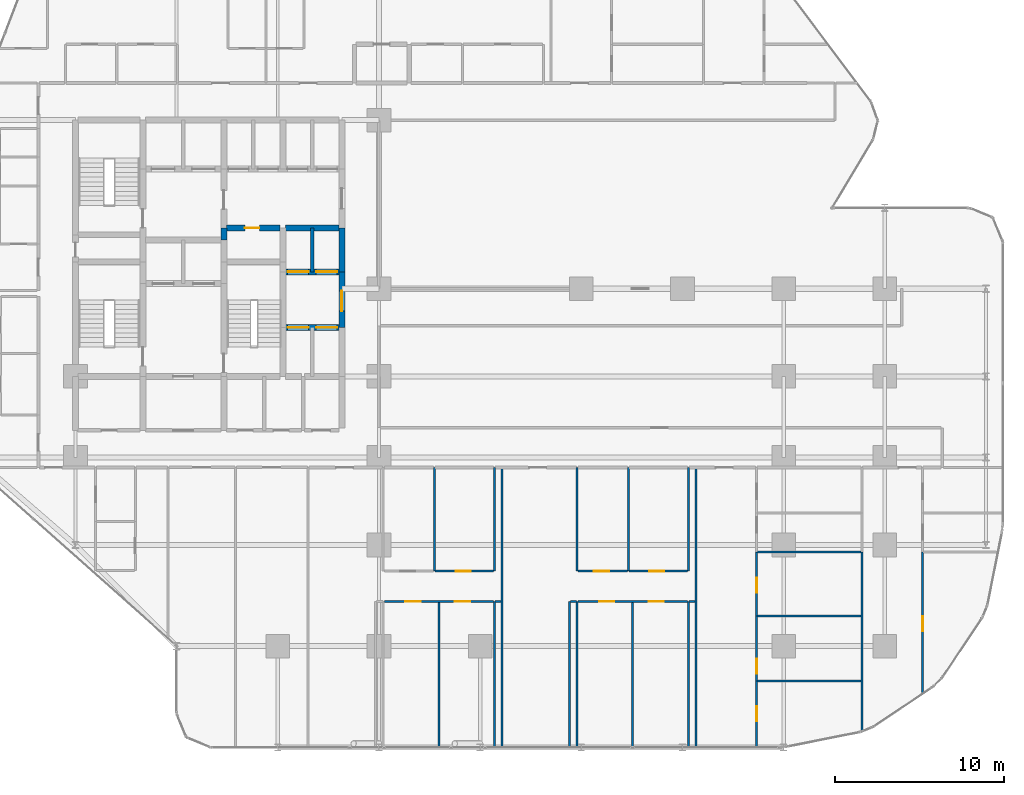
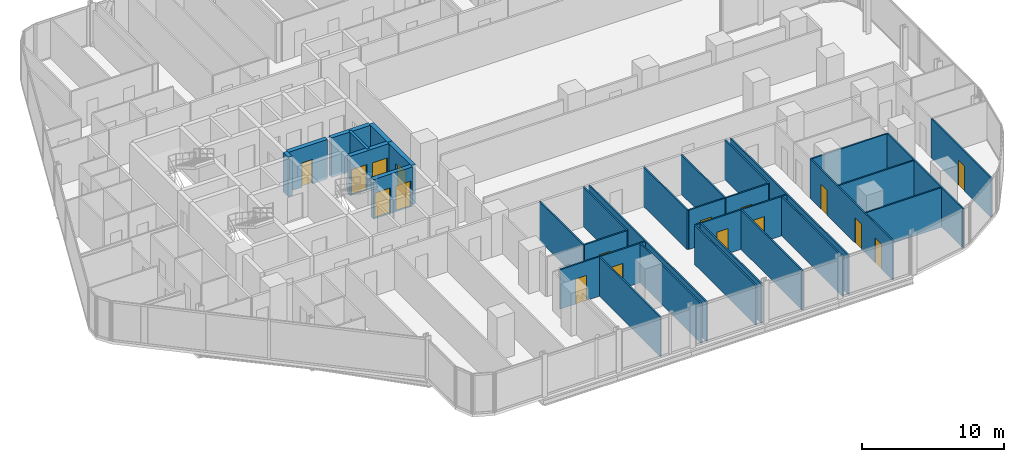
# One storey, part 28 of 33: 35 walls, 17 doors, 17 openings.
"""IFC4 building model written with IfcOpenShell, lengths in metres."""

from ifc_helpers import new_model, si_unit, direction, frame, frame_2d, origin, place, context, subcontext, project, spatial, rectangle, extrude, material, layer, layer_set, type_object, element, fill, save


model = new_model("IFC4")

# Units and contexts
model_context = context("Model", 3, precision=1e-05, world=origin(), true_north=direction((0.0, 1.0)))
body_context = subcontext(model_context, "Body", "Model", "MODEL_VIEW")
ifc_project = project(units=[si_unit("LENGTHUNIT", "METRE"), si_unit("AREAUNIT", "SQUARE_METRE"), si_unit("VOLUMEUNIT", "CUBIC_METRE"), si_unit("PLANEANGLEUNIT", "RADIAN"), si_unit("MASSUNIT", "GRAM", prefix="KILO")], contexts=[model_context])

# Site, building, storey
site_placement = place(None, origin())
site = spatial("IfcSite", under=ifc_project, at=site_placement, CompositionType="ELEMENT")
building_placement = place(site_placement, origin())
building = spatial("IfcBuilding", under=site, at=building_placement, Name="Keshet Zoharim Tower", CompositionType="ELEMENT")
storey_placement = place(building_placement, frame((0.0, 0.0, 49.89990234375)))
storey = spatial("IfcBuildingStorey", under=building, at=storey_placement, Name="L11", CompositionType="ELEMENT", Elevation=49.89990234375)

# Wall
ifc_material_1 = material(Name="Concrete C60/75", Category="concrete")
ifc_layer_1 = layer(ifc_material_1, 0.35009765625)
ifc_layer_set_1 = layer_set([ifc_layer_1], Name="Concrete C60/75")
wall_type_1 = type_object("IfcWallType", Name="WL-CORE-350", PredefinedType="SHEAR", material=ifc_layer_set_1)
wall_1_placement = place(storey_placement, frame((23.800048828125, 30.800048828125, 0.0), z_axis=(0.0, 0.0, 1.0), x_axis=(0.0, 1.0, 0.0)))
element("IfcWall", 1, at=wall_1_placement, inside=storey, type_object=wall_type_1, Name="L11 Core Shear Wall 044", PredefinedType="SHEAR", context=body_context, shape_type="SweptSolid", body=[
    extrude(rectangle(XDim=0.699951171875, YDim=0.35009765625, at=frame_2d((0.35009765625, 0.0))), origin(), (0.0, 0.0, 1.0), 3.385009765625),
])

# Wall, opening, door
wall_2_placement = place(storey_placement, frame((30.800048828125, 25.60009765625, 0.0), z_axis=(0.0, 0.0, 1.0), x_axis=(0.0, 1.0, 0.0)))
wall_2 = element("IfcWall", 2, at=wall_2_placement, inside=storey, type_object=wall_type_1, Name="L11 Core Shear Wall 066", PredefinedType="SHEAR", context=body_context, shape_type="SweptSolid", body=[
    extrude(rectangle(XDim=3.2998046875, YDim=0.35009765625, at=frame_2d((1.64990234375, 0.0))), origin(), (0.0, 0.0, 1.0), 3.385009765625),
])
opening_1_placement = place(wall_2_placement, frame((0.97802734375, 0.0, 0.0)))
opening_1 = element("IfcOpeningElement", 3, at=opening_1_placement, cuts=wall_2, Name="Opening D-F612", PredefinedType="OPENING", context=body_context, shape_type="SweptSolid", body=[
    extrude(rectangle(XDim=1.199951171875, YDim=2.199951171875, at=frame_2d((0.60009765625, 1.10009765625))), frame((0.0, 0.18505859375, 0.0), z_axis=(0.0, -1.0, 0.0), x_axis=(1.0, 0.0, 0.0)), (0.0, 0.0, 1.0), 0.3701171875),
])
ifc_material_2 = material(Name="Hardwood Timber", Category="wood")
door_type_1 = type_object("IfcDoorType", Name="DR-FD60-120", OperationType="NOTDEFINED", PredefinedType="DOOR", material=ifc_material_2)
door_1_placement = place(opening_1_placement, origin())
door_1 = element("IfcDoor", 4, at=door_1_placement, inside=storey, type_object=door_type_1, Name="L11 East Lift Lobby Fire Door", OperationType="SINGLE_SWING_LEFT", OverallHeight=2.199951171875, OverallWidth=1.199951171875, PredefinedType="DOOR", context=body_context, shape_type="SweptSolid", body=[
    extrude(rectangle(XDim=1.199951171875, YDim=2.199951171875, at=frame_2d((0.60009765625, 1.10009765625))), frame((0.0, 0.02490234375, 0.0), z_axis=(0.0, -1.0, 0.0), x_axis=(1.0, 0.0, 0.0)), (0.0, 0.0, 1.0), 0.050048828125),
])
fill(opening_1, door_1)

# Wall
wall_3_placement = place(storey_placement, frame((30.800048828125, 28.89990234375, 0.0), z_axis=(0.0, 0.0, 1.0), x_axis=(0.0, 1.0, 0.0)))
element("IfcWall", 5, at=wall_3_placement, inside=storey, type_object=wall_type_1, Name="L11 Core Shear Wall 067", PredefinedType="SHEAR", context=body_context, shape_type="SweptSolid", body=[
    extrude(rectangle(XDim=2.60009765625, YDim=0.35009765625, at=frame_2d((1.300048828125, 0.0))), origin(), (0.0, 0.0, 1.0), 3.385009765625),
])

# Wall, openings, doors
wall_4_placement = place(storey_placement, frame((27.4599609375, 25.60009765625, 0.0), z_axis=(0.0, 0.0, 1.0), x_axis=(1.0, 0.0, 0.0)))
wall_4 = element("IfcWall", 6, at=wall_4_placement, inside=storey, type_object=wall_type_1, Name="L11 Core Shear Wall 169", PredefinedType="SHEAR", context=body_context, shape_type="SweptSolid", body=[
    extrude(rectangle(XDim=3.179931640625, YDim=0.35009765625, at=frame_2d((1.58984375, 0.0))), origin(), (0.0, 0.0, 1.0), 3.385009765625),
])
opening_2_placement = place(wall_4_placement, frame((0.1201171875, 0.0, 0.0)))
opening_2 = element("IfcOpeningElement", 7, at=opening_2_placement, cuts=wall_4, Name="Opening LD-01", PredefinedType="OPENING", context=body_context, shape_type="SweptSolid", body=[
    extrude(rectangle(XDim=1.25, YDim=2.199951171875, at=frame_2d((0.625, 1.10009765625))), frame((0.0, 0.18505859375, 0.0), z_axis=(0.0, -1.0, 0.0), x_axis=(1.0, 0.0, 0.0)), (0.0, 0.0, 1.0), 0.3701171875),
])
opening_3_placement = place(wall_4_placement, frame((1.81005859375, 0.0, 0.0)))
opening_3 = element("IfcOpeningElement", 8, at=opening_3_placement, cuts=wall_4, Name="Opening LD-01", PredefinedType="OPENING", context=body_context, shape_type="SweptSolid", body=[
    extrude(rectangle(XDim=1.25, YDim=2.199951171875, at=frame_2d((0.625, 1.10009765625))), frame((0.0, 0.18505859375, 0.0), z_axis=(0.0, -1.0, 0.0), x_axis=(1.0, 0.0, 0.0)), (0.0, 0.0, 1.0), 0.3701171875),
])
ifc_material_3 = material(Name="Steel S355", Category="steel")
door_type_2 = type_object("IfcDoorType", Name="DR-LD01-125", OperationType="DOUBLE_DOOR_SLIDING", PredefinedType="DOOR", material=ifc_material_3)
door_2_placement = place(opening_2_placement, origin())
door_2 = element("IfcDoor", 9, at=door_2_placement, inside=storey, type_object=door_type_2, Name="L11 Passenger Lift Landing Door LF-07", OperationType="DOUBLE_DOOR_SLIDING", OverallHeight=2.199951171875, OverallWidth=1.25, PredefinedType="DOOR", context=body_context, shape_type="SweptSolid", body=[
    extrude(rectangle(XDim=1.25, YDim=2.199951171875, at=frame_2d((0.625, 1.10009765625))), frame((0.0, 0.02490234375, 0.0), z_axis=(0.0, -1.0, 0.0), x_axis=(1.0, 0.0, 0.0)), (0.0, 0.0, 1.0), 0.050048828125),
])
fill(opening_2, door_2)
door_3_placement = place(opening_3_placement, origin())
door_3 = element("IfcDoor", 10, at=door_3_placement, inside=storey, type_object=door_type_2, Name="L11 Passenger Lift Landing Door LF-08", OperationType="DOUBLE_DOOR_SLIDING", OverallHeight=2.199951171875, OverallWidth=1.25, PredefinedType="DOOR", context=body_context, shape_type="SweptSolid", body=[
    extrude(rectangle(XDim=1.25, YDim=2.199951171875, at=frame_2d((0.625, 1.10009765625))), frame((0.0, 0.02490234375, 0.0), z_axis=(0.0, -1.0, 0.0), x_axis=(1.0, 0.0, 0.0)), (0.0, 0.0, 1.0), 0.050048828125),
])
fill(opening_3, door_3)

wall_5_placement = place(storey_placement, frame((27.4599609375, 28.89990234375, 0.0), z_axis=(0.0, 0.0, 1.0), x_axis=(1.0, 0.0, 0.0)))
wall_5 = element("IfcWall", 11, at=wall_5_placement, inside=storey, type_object=wall_type_1, Name="L11 Core Shear Wall 177", PredefinedType="SHEAR", context=body_context, shape_type="SweptSolid", body=[
    extrude(rectangle(XDim=3.179931640625, YDim=0.35009765625, at=frame_2d((1.58984375, 0.0))), origin(), (0.0, 0.0, 1.0), 3.385009765625),
])
opening_4_placement = place(wall_5_placement, frame((0.1201171875, 0.0, 0.0)))
opening_4 = element("IfcOpeningElement", 12, at=opening_4_placement, cuts=wall_5, Name="Opening LD-01", PredefinedType="OPENING", context=body_context, shape_type="SweptSolid", body=[
    extrude(rectangle(XDim=1.25, YDim=2.199951171875, at=frame_2d((0.625, 1.10009765625))), frame((0.0, 0.18505859375, 0.0), z_axis=(0.0, -1.0, 0.0), x_axis=(1.0, 0.0, 0.0)), (0.0, 0.0, 1.0), 0.3701171875),
])
opening_5_placement = place(wall_5_placement, frame((1.81005859375, 0.0, 0.0)))
opening_5 = element("IfcOpeningElement", 13, at=opening_5_placement, cuts=wall_5, Name="Opening LD-01", PredefinedType="OPENING", context=body_context, shape_type="SweptSolid", body=[
    extrude(rectangle(XDim=1.25, YDim=2.199951171875, at=frame_2d((0.625, 1.10009765625))), frame((0.0, 0.18505859375, 0.0), z_axis=(0.0, -1.0, 0.0), x_axis=(1.0, 0.0, 0.0)), (0.0, 0.0, 1.0), 0.3701171875),
])
door_4_placement = place(opening_4_placement, origin())
door_4 = element("IfcDoor", 14, at=door_4_placement, inside=storey, type_object=door_type_2, Name="L11 Passenger Lift Landing Door LF-05", OperationType="DOUBLE_DOOR_SLIDING", OverallHeight=2.199951171875, OverallWidth=1.25, PredefinedType="DOOR", context=body_context, shape_type="SweptSolid", body=[
    extrude(rectangle(XDim=1.25, YDim=2.199951171875, at=frame_2d((0.625, 1.10009765625))), frame((0.0, 0.02490234375, 0.0), z_axis=(0.0, -1.0, 0.0), x_axis=(1.0, 0.0, 0.0)), (0.0, 0.0, 1.0), 0.050048828125),
])
fill(opening_4, door_4)
door_5_placement = place(opening_5_placement, origin())
door_5 = element("IfcDoor", 15, at=door_5_placement, inside=storey, type_object=door_type_2, Name="L11 Passenger Lift Landing Door LF-06", OperationType="DOUBLE_DOOR_SLIDING", OverallHeight=2.199951171875, OverallWidth=1.25, PredefinedType="DOOR", context=body_context, shape_type="SweptSolid", body=[
    extrude(rectangle(XDim=1.25, YDim=2.199951171875, at=frame_2d((0.625, 1.10009765625))), frame((0.0, 0.02490234375, 0.0), z_axis=(0.0, -1.0, 0.0), x_axis=(1.0, 0.0, 0.0)), (0.0, 0.0, 1.0), 0.050048828125),
])
fill(opening_5, door_5)

# Wall, opening, door
wall_6_placement = place(storey_placement, frame((23.9599609375, 31.5, 0.0), z_axis=(0.0, 0.0, 1.0), x_axis=(1.0, 0.0, 0.0)))
wall_6 = element("IfcWall", 16, at=wall_6_placement, inside=storey, type_object=wall_type_1, Name="L11 Core Shear Wall 184", PredefinedType="SHEAR", context=body_context, shape_type="SweptSolid", body=[
    extrude(rectangle(XDim=3.179931640625, YDim=0.35009765625, at=frame_2d((1.58984375, 0.0))), origin(), (0.0, 0.0, 1.0), 3.385009765625),
])
opening_6_placement = place(wall_6_placement, frame((1.093994140625, 0.0, 0.0)))
opening_6 = element("IfcOpeningElement", 17, at=opening_6_placement, cuts=wall_6, Name="Opening D-RS85", PredefinedType="OPENING", context=body_context, shape_type="SweptSolid", body=[
    extrude(rectangle(XDim=0.85009765625, YDim=2.10009765625, at=frame_2d((0.425048828125, 1.050048828125))), frame((0.0, 0.18505859375, 0.0), z_axis=(0.0, -1.0, 0.0), x_axis=(1.0, 0.0, 0.0)), (0.0, 0.0, 1.0), 0.3701171875),
])
door_type_3 = type_object("IfcDoorType", Name="DR-RIS-085", OperationType="NOTDEFINED", PredefinedType="DOOR", material=ifc_material_2)
door_6_placement = place(opening_6_placement, origin())
door_6 = element("IfcDoor", 18, at=door_6_placement, inside=storey, type_object=door_type_3, Name="L11 Telecom Riser Access Cupboard Door", OperationType="SINGLE_SWING_RIGHT", OverallHeight=2.10009765625, OverallWidth=0.85009765625, PredefinedType="DOOR", context=body_context, shape_type="SweptSolid", body=[
    extrude(rectangle(XDim=0.85009765625, YDim=2.10009765625, at=frame_2d((0.425048828125, 1.050048828125))), frame((0.0, 0.02490234375, 0.0), z_axis=(0.0, -1.0, 0.0), x_axis=(1.0, 0.0, 0.0)), (0.0, 0.0, 1.0), 0.050048828125),
])
fill(opening_6, door_6)

# Walls
wall_7_placement = place(storey_placement, frame((27.4599609375, 31.5, 0.0), z_axis=(0.0, 0.0, 1.0), x_axis=(1.0, 0.0, 0.0)))
element("IfcWall", 19, at=wall_7_placement, inside=storey, type_object=wall_type_1, Name="L11 Core Shear Wall 185", PredefinedType="SHEAR", context=body_context, shape_type="SweptSolid", body=[
    extrude(rectangle(XDim=3.179931640625, YDim=0.35009765625, at=frame_2d((1.58984375, 0.0))), origin(), (0.0, 0.0, 1.0), 3.385009765625),
])
ifc_material_4 = material(Name="Concrete C50/60", Category="concrete")
ifc_layer_2 = layer(ifc_material_4, 0.199951171875)
ifc_layer_set_2 = layer_set([ifc_layer_2], Name="Concrete C50/60")
wall_type_2 = type_object("IfcWallType", Name="WL-FIRE-200", PredefinedType="STANDARD", material=ifc_layer_set_2)
wall_8_placement = place(storey_placement, frame((29.050048828125, 28.89990234375, 0.0), z_axis=(0.0, 0.0, 1.0), x_axis=(0.0, 1.0, 0.0)))
element("IfcWall", 20, at=wall_8_placement, inside=storey, type_object=wall_type_2, Name="L11 Interior Wall 062", PredefinedType="STANDARD", context=body_context, shape_type="SweptSolid", body=[
    extrude(rectangle(XDim=2.60009765625, YDim=0.199951171875, at=frame_2d((1.300048828125, 0.0))), origin(), (0.0, 0.0, 1.0), 3.385009765625),
])
ifc_material_5 = material(Name="Gypsum Plasterboard", Category="gypsum")
ifc_layer_3 = layer(ifc_material_5, 0.1201171875)
ifc_layer_set_3 = layer_set([ifc_layer_3], Name="Gypsum Plasterboard")
wall_type_3 = type_object("IfcWallType", Name="WL-PART-120", PredefinedType="PARTITIONING", material=ifc_layer_set_3)
for number, where, z_axis, x_axis, name in (
    (21, (36.550048828125, 0.7099609375, 0.0), (0.0, 0.0, 1.0), (0.0, 1.0, 0.0), "L11 Interior Wall 081"),
    (22, (39.85009765625, 0.7099609375, 0.0), (0.0, 0.0, 1.0), (0.0, 1.0, 0.0), "L11 Interior Wall 084"),
):
    element("IfcWall", number, at=place(storey_placement, frame(where, z_axis=z_axis, x_axis=x_axis)), inside=storey, type_object=wall_type_3, Name=name, PredefinedType="PARTITIONING", context=body_context, shape_type="SweptSolid", body=[
        extrude(rectangle(XDim=8.64013671875, YDim=0.1201171875, at=frame_2d((4.320068359375, 0.0))), origin(), (0.0, 0.0, 1.0), 3.385009765625),
    ])
wall_9_placement = place(storey_placement, frame((40.300048828125, 0.7099609375, 0.0), z_axis=(0.0, 0.0, 1.0), x_axis=(0.0, 1.0, 0.0)))
element("IfcWall", 23, at=wall_9_placement, inside=storey, type_object=wall_type_3, Name="L11 Interior Wall 087", PredefinedType="PARTITIONING", context=body_context, shape_type="SweptSolid", body=[
    extrude(rectangle(XDim=16.590087890625, YDim=0.1201171875, at=frame_2d((8.294921875, 0.0))), origin(), (0.0, 0.0, 1.0), 3.385009765625),
])
for number, where, z_axis, x_axis, name in (
    (24, (44.300048828125, 0.7099609375, 0.0), (0.0, 0.0, 1.0), (0.0, 1.0, 0.0), "L11 Interior Wall 091"),
    (25, (44.75, 0.7099609375, 0.0), (0.0, 0.0, 1.0), (0.0, 1.0, 0.0), "L11 Interior Wall 092"),
):
    element("IfcWall", number, at=place(storey_placement, frame(where, z_axis=z_axis, x_axis=x_axis)), inside=storey, type_object=wall_type_3, Name=name, PredefinedType="PARTITIONING", context=body_context, shape_type="SweptSolid", body=[
        extrude(rectangle(XDim=8.64013671875, YDim=0.1201171875, at=frame_2d((4.320068359375, 0.0))), origin(), (0.0, 0.0, 1.0), 3.385009765625),
    ])
wall_10_placement = place(storey_placement, frame((44.75, 11.14990234375, 0.0), z_axis=(0.0, 0.0, 1.0), x_axis=(0.0, 1.0, 0.0)))
element("IfcWall", 26, at=wall_10_placement, inside=storey, type_object=wall_type_3, Name="L11 Interior Wall 093", PredefinedType="PARTITIONING", context=body_context, shape_type="SweptSolid", body=[
    extrude(rectangle(XDim=6.150146484375, YDim=0.1201171875, at=frame_2d((3.0751953125, 0.0))), origin(), (0.0, 0.0, 1.0), 3.385009765625),
])
for number, where, z_axis, x_axis, name in (
    (27, (48.050048828125, 0.7099609375, 0.0), (0.0, 0.0, 1.0), (0.0, 1.0, 0.0), "L11 Interior Wall 098"),
    (28, (51.35009765625, 0.7099609375, 0.0), (0.0, 0.0, 1.0), (0.0, 1.0, 0.0), "L11 Interior Wall 099"),
):
    element("IfcWall", number, at=place(storey_placement, frame(where, z_axis=z_axis, x_axis=x_axis)), inside=storey, type_object=wall_type_3, Name=name, PredefinedType="PARTITIONING", context=body_context, shape_type="SweptSolid", body=[
        extrude(rectangle(XDim=8.64013671875, YDim=0.1201171875, at=frame_2d((4.320068359375, 0.0))), origin(), (0.0, 0.0, 1.0), 3.385009765625),
    ])
wall_11_placement = place(storey_placement, frame((51.800048828125, 0.7099609375, 0.0), z_axis=(0.0, 0.0, 1.0), x_axis=(0.0, 1.0, 0.0)))
element("IfcWall", 29, at=wall_11_placement, inside=storey, type_object=wall_type_3, Name="L11 Interior Wall 101", PredefinedType="PARTITIONING", context=body_context, shape_type="SweptSolid", body=[
    extrude(rectangle(XDim=16.590087890625, YDim=0.1201171875, at=frame_2d((8.294921875, 0.0))), origin(), (0.0, 0.0, 1.0), 3.385009765625),
])

# Wall, openings, doors
wall_12_placement = place(storey_placement, frame((55.39990234375, 0.7099609375, 0.0), z_axis=(0.0, 0.0, 1.0), x_axis=(0.0, 1.0, 0.0)))
wall_12 = element("IfcWall", 30, at=wall_12_placement, inside=storey, type_object=wall_type_3, Name="L11 Interior Wall 105", PredefinedType="PARTITIONING", context=body_context, shape_type="SweptSolid", body=[
    extrude(rectangle(XDim=11.590087890625, YDim=0.1201171875, at=frame_2d((5.794921875, 0.0))), origin(), (0.0, 0.0, 1.0), 3.385009765625),
])
opening_7_placement = place(wall_12_placement, frame((1.534912109375, 0.0, 0.0)))
opening_7 = element("IfcOpeningElement", 31, at=opening_7_placement, cuts=wall_12, Name="Opening D-IN90", PredefinedType="OPENING", context=body_context, shape_type="SweptSolid", body=[
    extrude(rectangle(XDim=0.89990234375, YDim=2.14990234375, at=frame_2d((0.449951171875, 1.074951171875))), frame((0.0, 0.070068359375, 0.0), z_axis=(0.0, -1.0, 0.0), x_axis=(1.0, 0.0, 0.0)), (0.0, 0.0, 1.0), 0.14013671875),
])
opening_8_placement = place(wall_12_placement, frame((4.35107421875, 0.0, 0.0)))
opening_8 = element("IfcOpeningElement", 32, at=opening_8_placement, cuts=wall_12, Name="Opening D-IN90", PredefinedType="OPENING", context=body_context, shape_type="SweptSolid", body=[
    extrude(rectangle(XDim=0.89990234375, YDim=2.14990234375, at=frame_2d((0.449951171875, 1.074951171875))), frame((0.0, 0.070068359375, 0.0), z_axis=(0.0, -1.0, 0.0), x_axis=(1.0, 0.0, 0.0)), (0.0, 0.0, 1.0), 0.14013671875),
])
opening_9_placement = place(wall_12_placement, frame((9.158935546875, 0.0, 0.0)))
opening_9 = element("IfcOpeningElement", 33, at=opening_9_placement, cuts=wall_12, Name="Opening D-IN90", PredefinedType="OPENING", context=body_context, shape_type="SweptSolid", body=[
    extrude(rectangle(XDim=0.89990234375, YDim=2.14990234375, at=frame_2d((0.449951171875, 1.074951171875))), frame((0.0, 0.070068359375, 0.0), z_axis=(0.0, -1.0, 0.0), x_axis=(1.0, 0.0, 0.0)), (0.0, 0.0, 1.0), 0.14013671875),
])
door_type_4 = type_object("IfcDoorType", Name="DR-INT-090", OperationType="NOTDEFINED", PredefinedType="DOOR", material=ifc_material_2)
door_7_placement = place(opening_7_placement, origin())
door_7 = element("IfcDoor", 34, at=door_7_placement, inside=storey, type_object=door_type_4, Name="Apartment 1104 Bedroom 1 Door", OperationType="SINGLE_SWING_LEFT", OverallHeight=2.14990234375, OverallWidth=0.89990234375, PredefinedType="DOOR", context=body_context, shape_type="SweptSolid", body=[
    extrude(rectangle(XDim=0.89990234375, YDim=2.14990234375, at=frame_2d((0.449951171875, 1.074951171875))), frame((0.0, 0.02490234375, 0.0), z_axis=(0.0, -1.0, 0.0), x_axis=(1.0, 0.0, 0.0)), (0.0, 0.0, 1.0), 0.050048828125),
])
fill(opening_7, door_7)
door_8_placement = place(opening_8_placement, origin())
door_8 = element("IfcDoor", 35, at=door_8_placement, inside=storey, type_object=door_type_4, Name="Apartment 1104 Bedroom 2 Door", OperationType="SINGLE_SWING_RIGHT", OverallHeight=2.14990234375, OverallWidth=0.89990234375, PredefinedType="DOOR", context=body_context, shape_type="SweptSolid", body=[
    extrude(rectangle(XDim=0.89990234375, YDim=2.14990234375, at=frame_2d((0.449951171875, 1.074951171875))), frame((0.0, 0.02490234375, 0.0), z_axis=(0.0, -1.0, 0.0), x_axis=(1.0, 0.0, 0.0)), (0.0, 0.0, 1.0), 0.050048828125),
])
fill(opening_8, door_8)
door_9_placement = place(opening_9_placement, origin())
door_9 = element("IfcDoor", 36, at=door_9_placement, inside=storey, type_object=door_type_4, Name="Apartment 1104 Bedroom 3 Door", OperationType="SINGLE_SWING_LEFT", OverallHeight=2.14990234375, OverallWidth=0.89990234375, PredefinedType="DOOR", context=body_context, shape_type="SweptSolid", body=[
    extrude(rectangle(XDim=0.89990234375, YDim=2.14990234375, at=frame_2d((0.449951171875, 1.074951171875))), frame((0.0, 0.02490234375, 0.0), z_axis=(0.0, -1.0, 0.0), x_axis=(1.0, 0.0, 0.0)), (0.0, 0.0, 1.0), 0.050048828125),
])
fill(opening_9, door_9)

# Wall
wall_13_placement = place(storey_placement, frame((61.64990234375, 1.64892578125, 0.0), z_axis=(0.0, 0.0, 1.0), x_axis=(0.0, 1.0, 0.0)))
element("IfcWall", 37, at=wall_13_placement, inside=storey, type_object=wall_type_3, Name="L11 Interior Wall 111", PredefinedType="PARTITIONING", context=body_context, shape_type="SweptSolid", body=[
    extrude(rectangle(XDim=10.651123046875, YDim=0.1201171875, at=frame_2d((5.32568359375, 0.0))), origin(), (0.0, 0.0, 1.0), 3.385009765625),
])

# Wall, opening, door
wall_14_placement = place(storey_placement, frame((65.25, 3.887939453125, 0.0), z_axis=(0.0, 0.0, 1.0), x_axis=(0.0, 1.0, 0.0)))
wall_14 = element("IfcWall", 38, at=wall_14_placement, inside=storey, type_object=wall_type_3, Name="L11 Interior Wall 115", PredefinedType="PARTITIONING", context=body_context, shape_type="SweptSolid", body=[
    extrude(rectangle(XDim=8.412109375, YDim=0.1201171875, at=frame_2d((4.2060546875, 0.0))), origin(), (0.0, 0.0, 1.0), 3.385009765625),
])
opening_10_placement = place(wall_14_placement, frame((3.694091796875, 0.0, 0.0)))
opening_10 = element("IfcOpeningElement", 39, at=opening_10_placement, cuts=wall_14, Name="Opening D-IN90", PredefinedType="OPENING", context=body_context, shape_type="SweptSolid", body=[
    extrude(rectangle(XDim=0.89990234375, YDim=2.14990234375, at=frame_2d((0.449951171875, 1.074951171875))), frame((0.0, 0.070068359375, 0.0), z_axis=(0.0, -1.0, 0.0), x_axis=(1.0, 0.0, 0.0)), (0.0, 0.0, 1.0), 0.14013671875),
])
door_10_placement = place(opening_10_placement, origin())
door_10 = element("IfcDoor", 40, at=door_10_placement, inside=storey, type_object=door_type_4, Name="Apartment 1105 Bedroom 1 Door", OperationType="SINGLE_SWING_RIGHT", OverallHeight=2.14990234375, OverallWidth=0.89990234375, PredefinedType="DOOR", context=body_context, shape_type="SweptSolid", body=[
    extrude(rectangle(XDim=0.89990234375, YDim=2.14990234375, at=frame_2d((0.449951171875, 1.074951171875))), frame((0.0, 0.02490234375, 0.0), z_axis=(0.0, -1.0, 0.0), x_axis=(1.0, 0.0, 0.0)), (0.0, 0.0, 1.0), 0.050048828125),
])
fill(opening_10, door_10)

# Walls
for number, where, z_axis, x_axis, name in (
    (41, (55.425048828125, 4.64990234375, 0.0), (0.0, 0.0, 1.0), (1.0, 0.0, 0.0), "L11 Interior Wall 119"),
    (42, (55.425048828125, 8.5, 0.0), (0.0, 0.0, 1.0), (1.0, 0.0, 0.0), "L11 Interior Wall 120"),
):
    element("IfcWall", number, at=place(storey_placement, frame(where, z_axis=z_axis, x_axis=x_axis)), inside=storey, type_object=wall_type_3, Name=name, PredefinedType="PARTITIONING", context=body_context, shape_type="SweptSolid", body=[
        extrude(rectangle(XDim=6.159912109375, YDim=0.1201171875, at=frame_2d((3.080078125, 0.0))), origin(), (0.0, 0.0, 1.0), 3.385009765625),
    ])

# Wall, openings, doors
wall_15_placement = place(storey_placement, frame((33.31494140625, 9.35009765625, 0.0), z_axis=(0.0, 0.0, 1.0), x_axis=(1.0, 0.0, 0.0)))
wall_15 = element("IfcWall", 43, at=wall_15_placement, inside=storey, type_object=wall_type_3, Name="L11 Interior Wall 122", PredefinedType="PARTITIONING", context=body_context, shape_type="SweptSolid", body=[
    extrude(rectangle(XDim=6.47998046875, YDim=0.1201171875, at=frame_2d((3.239990234375, 0.0))), origin(), (0.0, 0.0, 1.0), 3.385009765625),
])
opening_11_placement = place(wall_15_placement, frame((1.251953125, 0.0, 0.0)))
opening_11 = element("IfcOpeningElement", 44, at=opening_11_placement, cuts=wall_15, Name="Opening D-IN90", PredefinedType="OPENING", context=body_context, shape_type="SweptSolid", body=[
    extrude(rectangle(XDim=0.89990234375, YDim=2.14990234375, at=frame_2d((0.449951171875, 1.074951171875))), frame((0.0, 0.070068359375, 0.0), z_axis=(0.0, -1.0, 0.0), x_axis=(1.0, 0.0, 0.0)), (0.0, 0.0, 1.0), 0.14013671875),
])
opening_12_placement = place(wall_15_placement, frame((4.18701171875, 0.0, 0.0)))
opening_12 = element("IfcOpeningElement", 45, at=opening_12_placement, cuts=wall_15, Name="Opening D-IN90", PredefinedType="OPENING", context=body_context, shape_type="SweptSolid", body=[
    extrude(rectangle(XDim=0.89990234375, YDim=2.14990234375, at=frame_2d((0.449951171875, 1.074951171875))), frame((0.0, 0.070068359375, 0.0), z_axis=(0.0, -1.0, 0.0), x_axis=(1.0, 0.0, 0.0)), (0.0, 0.0, 1.0), 0.14013671875),
])
door_11_placement = place(opening_11_placement, origin())
door_11 = element("IfcDoor", 46, at=door_11_placement, inside=storey, type_object=door_type_4, Name="Apartment 1102 Bedroom 1 Door", OperationType="SINGLE_SWING_LEFT", OverallHeight=2.14990234375, OverallWidth=0.89990234375, PredefinedType="DOOR", context=body_context, shape_type="SweptSolid", body=[
    extrude(rectangle(XDim=0.89990234375, YDim=2.14990234375, at=frame_2d((0.449951171875, 1.074951171875))), frame((0.0, 0.02490234375, 0.0), z_axis=(0.0, -1.0, 0.0), x_axis=(1.0, 0.0, 0.0)), (0.0, 0.0, 1.0), 0.050048828125),
])
fill(opening_11, door_11)
door_12_placement = place(opening_12_placement, origin())
door_12 = element("IfcDoor", 47, at=door_12_placement, inside=storey, type_object=door_type_4, Name="Apartment 1102 Bedroom 2 Door", OperationType="SINGLE_SWING_RIGHT", OverallHeight=2.14990234375, OverallWidth=0.89990234375, PredefinedType="DOOR", context=body_context, shape_type="SweptSolid", body=[
    extrude(rectangle(XDim=0.89990234375, YDim=2.14990234375, at=frame_2d((0.449951171875, 1.074951171875))), frame((0.0, 0.02490234375, 0.0), z_axis=(0.0, -1.0, 0.0), x_axis=(1.0, 0.0, 0.0)), (0.0, 0.0, 1.0), 0.050048828125),
])
fill(opening_12, door_12)

# Walls
for number, where, z_axis, x_axis, name in (
    (48, (39.885009765625, 9.35009765625, 0.0), (0.0, 0.0, 1.0), (1.0, 0.0, 0.0), "L11 Interior Wall 123"),
    (49, (44.35498046875, 9.35009765625, 0.0), (0.0, 0.0, 1.0), (1.0, 0.0, 0.0), "L11 Interior Wall 124"),
):
    element("IfcWall", number, at=place(storey_placement, frame(where, z_axis=z_axis, x_axis=x_axis)), inside=storey, type_object=wall_type_3, Name=name, PredefinedType="PARTITIONING", context=body_context, shape_type="SweptSolid", body=[
        extrude(rectangle(XDim=0.360107421875, YDim=0.1201171875, at=frame_2d((0.18017578125, 0.0))), origin(), (0.0, 0.0, 1.0), 3.385009765625),
    ])

# Wall, openings, doors
wall_16_placement = place(storey_placement, frame((44.804931640625, 9.35009765625, 0.0), z_axis=(0.0, 0.0, 1.0), x_axis=(1.0, 0.0, 0.0)))
wall_16 = element("IfcWall", 50, at=wall_16_placement, inside=storey, type_object=wall_type_3, Name="L11 Interior Wall 125", PredefinedType="PARTITIONING", context=body_context, shape_type="SweptSolid", body=[
    extrude(rectangle(XDim=6.47998046875, YDim=0.1201171875, at=frame_2d((3.239990234375, 0.0))), origin(), (0.0, 0.0, 1.0), 3.385009765625),
])
opening_13_placement = place(wall_16_placement, frame((1.251953125, 0.0, 0.0)))
opening_13 = element("IfcOpeningElement", 51, at=opening_13_placement, cuts=wall_16, Name="Opening D-IN90", PredefinedType="OPENING", context=body_context, shape_type="SweptSolid", body=[
    extrude(rectangle(XDim=0.89990234375, YDim=2.14990234375, at=frame_2d((0.449951171875, 1.074951171875))), frame((0.0, 0.070068359375, 0.0), z_axis=(0.0, -1.0, 0.0), x_axis=(1.0, 0.0, 0.0)), (0.0, 0.0, 1.0), 0.14013671875),
])
opening_14_placement = place(wall_16_placement, frame((4.18701171875, 0.0, 0.0)))
opening_14 = element("IfcOpeningElement", 52, at=opening_14_placement, cuts=wall_16, Name="Opening D-IN90", PredefinedType="OPENING", context=body_context, shape_type="SweptSolid", body=[
    extrude(rectangle(XDim=0.89990234375, YDim=2.14990234375, at=frame_2d((0.449951171875, 1.074951171875))), frame((0.0, 0.070068359375, 0.0), z_axis=(0.0, -1.0, 0.0), x_axis=(1.0, 0.0, 0.0)), (0.0, 0.0, 1.0), 0.14013671875),
])
door_13_placement = place(opening_13_placement, origin())
door_13 = element("IfcDoor", 53, at=door_13_placement, inside=storey, type_object=door_type_4, Name="Apartment 1103 Bedroom 1 Door", OperationType="SINGLE_SWING_LEFT", OverallHeight=2.14990234375, OverallWidth=0.89990234375, PredefinedType="DOOR", context=body_context, shape_type="SweptSolid", body=[
    extrude(rectangle(XDim=0.89990234375, YDim=2.14990234375, at=frame_2d((0.449951171875, 1.074951171875))), frame((0.0, 0.02490234375, 0.0), z_axis=(0.0, -1.0, 0.0), x_axis=(1.0, 0.0, 0.0)), (0.0, 0.0, 1.0), 0.050048828125),
])
fill(opening_13, door_13)
door_14_placement = place(opening_14_placement, origin())
door_14 = element("IfcDoor", 54, at=door_14_placement, inside=storey, type_object=door_type_4, Name="Apartment 1103 Bedroom 2 Door", OperationType="SINGLE_SWING_RIGHT", OverallHeight=2.14990234375, OverallWidth=0.89990234375, PredefinedType="DOOR", context=body_context, shape_type="SweptSolid", body=[
    extrude(rectangle(XDim=0.89990234375, YDim=2.14990234375, at=frame_2d((0.449951171875, 1.074951171875))), frame((0.0, 0.02490234375, 0.0), z_axis=(0.0, -1.0, 0.0), x_axis=(1.0, 0.0, 0.0)), (0.0, 0.0, 1.0), 0.050048828125),
])
fill(opening_14, door_14)

# Wall
wall_17_placement = place(storey_placement, frame((51.375, 9.35009765625, 0.0), z_axis=(0.0, 0.0, 1.0), x_axis=(1.0, 0.0, 0.0)))
element("IfcWall", 55, at=wall_17_placement, inside=storey, type_object=wall_type_3, Name="L11 Interior Wall 126", PredefinedType="PARTITIONING", context=body_context, shape_type="SweptSolid", body=[
    extrude(rectangle(XDim=0.360107421875, YDim=0.1201171875, at=frame_2d((0.18017578125, 0.0))), origin(), (0.0, 0.0, 1.0), 3.385009765625),
])

# Wall, opening, door
wall_18_placement = place(storey_placement, frame((44.804931640625, 11.14990234375, 0.0), z_axis=(0.0, 0.0, 1.0), x_axis=(1.0, 0.0, 0.0)))
wall_18 = element("IfcWall", 56, at=wall_18_placement, inside=storey, type_object=wall_type_3, Name="L11 Interior Wall 129", PredefinedType="PARTITIONING", context=body_context, shape_type="SweptSolid", body=[
    extrude(rectangle(XDim=2.93212890625, YDim=0.1201171875, at=frame_2d((1.466064453125, 0.0))), origin(), (0.0, 0.0, 1.0), 3.385009765625),
])
opening_15_placement = place(wall_18_placement, frame((0.943115234375, 0.0, 0.0)))
opening_15 = element("IfcOpeningElement", 57, at=opening_15_placement, cuts=wall_18, Name="Opening D-IN90", PredefinedType="OPENING", context=body_context, shape_type="SweptSolid", body=[
    extrude(rectangle(XDim=0.89990234375, YDim=2.14990234375, at=frame_2d((0.449951171875, 1.074951171875))), frame((0.0, 0.070068359375, 0.0), z_axis=(0.0, -1.0, 0.0), x_axis=(1.0, 0.0, 0.0)), (0.0, 0.0, 1.0), 0.14013671875),
])
door_15_placement = place(opening_15_placement, origin())
door_15 = element("IfcDoor", 58, at=door_15_placement, inside=storey, type_object=door_type_4, Name="Apartment 1103 Kitchen Door", OperationType="SINGLE_SWING_LEFT", OverallHeight=2.14990234375, OverallWidth=0.89990234375, PredefinedType="DOOR", context=body_context, shape_type="SweptSolid", body=[
    extrude(rectangle(XDim=0.89990234375, YDim=2.14990234375, at=frame_2d((0.449951171875, 1.074951171875))), frame((0.0, 0.02490234375, 0.0), z_axis=(0.0, -1.0, 0.0), x_axis=(1.0, 0.0, 0.0)), (0.0, 0.0, 1.0), 0.050048828125),
])
fill(opening_15, door_15)

# Walls
wall_19_placement = place(storey_placement, frame((55.425048828125, 12.300048828125, 0.0), z_axis=(0.0, 0.0, 1.0), x_axis=(1.0, 0.0, 0.0)))
element("IfcWall", 59, at=wall_19_placement, inside=storey, type_object=wall_type_3, Name="L11 Interior Wall 132", PredefinedType="PARTITIONING", context=body_context, shape_type="SweptSolid", body=[
    extrude(rectangle(XDim=6.159912109375, YDim=0.1201171875, at=frame_2d((3.080078125, 0.0))), origin(), (0.0, 0.0, 1.0), 3.385009765625),
])
ifc_layer_4 = layer(ifc_material_5, 0.1201171875)
ifc_layer_set_4 = layer_set([ifc_layer_4], Name="Gypsum Plasterboard")
wall_type_4 = type_object("IfcWallType", Name="WL-WET-120", PredefinedType="PARTITIONING", material=ifc_layer_set_4)
for number, where, z_axis, x_axis, name in (
    (60, (36.300048828125, 11.14990234375, 0.0), (0.0, 0.0, 1.0), (0.0, 1.0, 0.0), "L11 Interior Wall 080"),
    (61, (39.85009765625, 11.14990234375, 0.0), (0.0, 0.0, 1.0), (0.0, 1.0, 0.0), "L11 Interior Wall 085"),
    (62, (47.800048828125, 11.14990234375, 0.0), (0.0, 0.0, 1.0), (0.0, 1.0, 0.0), "L11 Interior Wall 097"),
    (63, (51.35009765625, 11.14990234375, 0.0), (0.0, 0.0, 1.0), (0.0, 1.0, 0.0), "L11 Interior Wall 100"),
):
    element("IfcWall", number, at=place(storey_placement, frame(where, z_axis=z_axis, x_axis=x_axis)), inside=storey, type_object=wall_type_4, Name=name, PredefinedType="PARTITIONING", context=body_context, shape_type="SweptSolid", body=[
        extrude(rectangle(XDim=6.150146484375, YDim=0.1201171875, at=frame_2d((3.0751953125, 0.0))), origin(), (0.0, 0.0, 1.0), 3.385009765625),
    ])

# Wall, opening, door
wall_20_placement = place(storey_placement, frame((36.3369140625, 11.14990234375, 0.0), z_axis=(0.0, 0.0, 1.0), x_axis=(1.0, 0.0, 0.0)))
wall_20 = element("IfcWall", 64, at=wall_20_placement, inside=storey, type_object=wall_type_4, Name="L11 Interior Wall 128", PredefinedType="PARTITIONING", context=body_context, shape_type="SweptSolid", body=[
    extrude(rectangle(XDim=3.4580078125, YDim=0.1201171875, at=frame_2d((1.72900390625, 0.0))), origin(), (0.0, 0.0, 1.0), 3.385009765625),
])
opening_16_placement = place(wall_20_placement, frame((1.2080078125, 0.0, 0.0)))
opening_16 = element("IfcOpeningElement", 65, at=opening_16_placement, cuts=wall_20, Name="Opening D-WT90", PredefinedType="OPENING", context=body_context, shape_type="SweptSolid", body=[
    extrude(rectangle(XDim=0.89990234375, YDim=2.10009765625, at=frame_2d((0.449951171875, 1.050048828125))), frame((0.0, 0.070068359375, 0.0), z_axis=(0.0, -1.0, 0.0), x_axis=(1.0, 0.0, 0.0)), (0.0, 0.0, 1.0), 0.14013671875),
])
door_type_5 = type_object("IfcDoorType", Name="DR-WET-090", OperationType="NOTDEFINED", PredefinedType="DOOR", material=ifc_material_2)
door_16_placement = place(opening_16_placement, origin())
door_16 = element("IfcDoor", 66, at=door_16_placement, inside=storey, type_object=door_type_5, Name="Apartment 1102 Bathroom Door", OperationType="SINGLE_SWING_RIGHT", OverallHeight=2.10009765625, OverallWidth=0.89990234375, PredefinedType="DOOR", context=body_context, shape_type="SweptSolid", body=[
    extrude(rectangle(XDim=0.89990234375, YDim=2.10009765625, at=frame_2d((0.449951171875, 1.050048828125))), frame((0.0, 0.02490234375, 0.0), z_axis=(0.0, -1.0, 0.0), x_axis=(1.0, 0.0, 0.0)), (0.0, 0.0, 1.0), 0.050048828125),
])
fill(opening_16, door_16)

wall_21_placement = place(storey_placement, frame((47.826904296875, 11.14990234375, 0.0), z_axis=(0.0, 0.0, 1.0), x_axis=(1.0, 0.0, 0.0)))
wall_21 = element("IfcWall", 67, at=wall_21_placement, inside=storey, type_object=wall_type_4, Name="L11 Interior Wall 130", PredefinedType="PARTITIONING", context=body_context, shape_type="SweptSolid", body=[
    extrude(rectangle(XDim=3.4580078125, YDim=0.1201171875, at=frame_2d((1.72900390625, 0.0))), origin(), (0.0, 0.0, 1.0), 3.385009765625),
])
opening_17_placement = place(wall_21_placement, frame((1.2080078125, 0.0, 0.0)))
opening_17 = element("IfcOpeningElement", 68, at=opening_17_placement, cuts=wall_21, Name="Opening D-WT90", PredefinedType="OPENING", context=body_context, shape_type="SweptSolid", body=[
    extrude(rectangle(XDim=0.89990234375, YDim=2.10009765625, at=frame_2d((0.449951171875, 1.050048828125))), frame((0.0, 0.070068359375, 0.0), z_axis=(0.0, -1.0, 0.0), x_axis=(1.0, 0.0, 0.0)), (0.0, 0.0, 1.0), 0.14013671875),
])
door_17_placement = place(opening_17_placement, origin())
door_17 = element("IfcDoor", 69, at=door_17_placement, inside=storey, type_object=door_type_5, Name="Apartment 1103 Bathroom Door", OperationType="SINGLE_SWING_RIGHT", OverallHeight=2.10009765625, OverallWidth=0.89990234375, PredefinedType="DOOR", context=body_context, shape_type="SweptSolid", body=[
    extrude(rectangle(XDim=0.89990234375, YDim=2.10009765625, at=frame_2d((0.449951171875, 1.050048828125))), frame((0.0, 0.02490234375, 0.0), z_axis=(0.0, -1.0, 0.0), x_axis=(1.0, 0.0, 0.0)), (0.0, 0.0, 1.0), 0.050048828125),
])
fill(opening_17, door_17)

save(model, "model.ifc")
